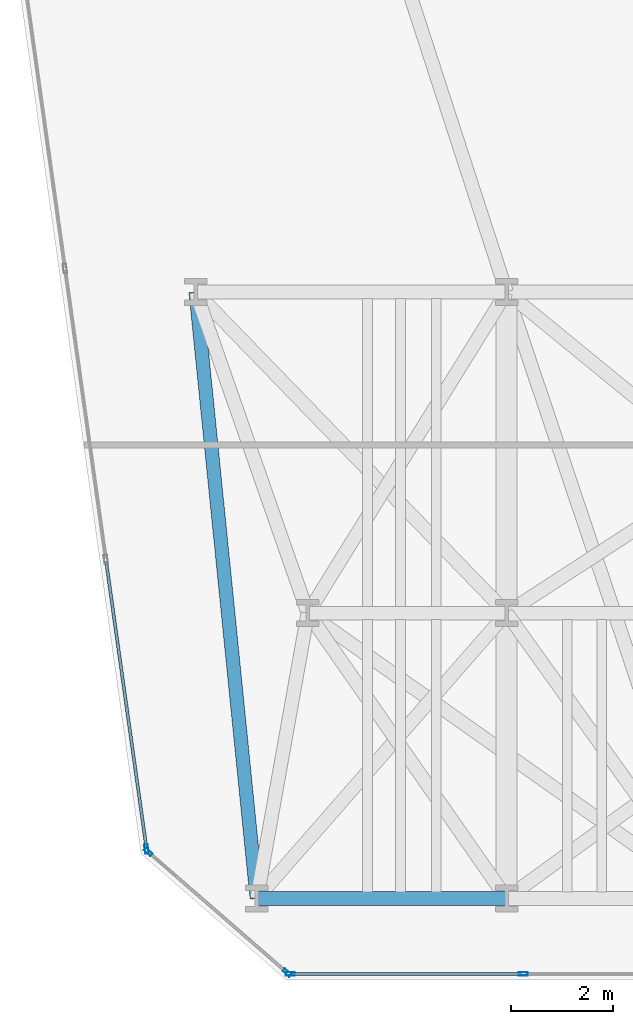
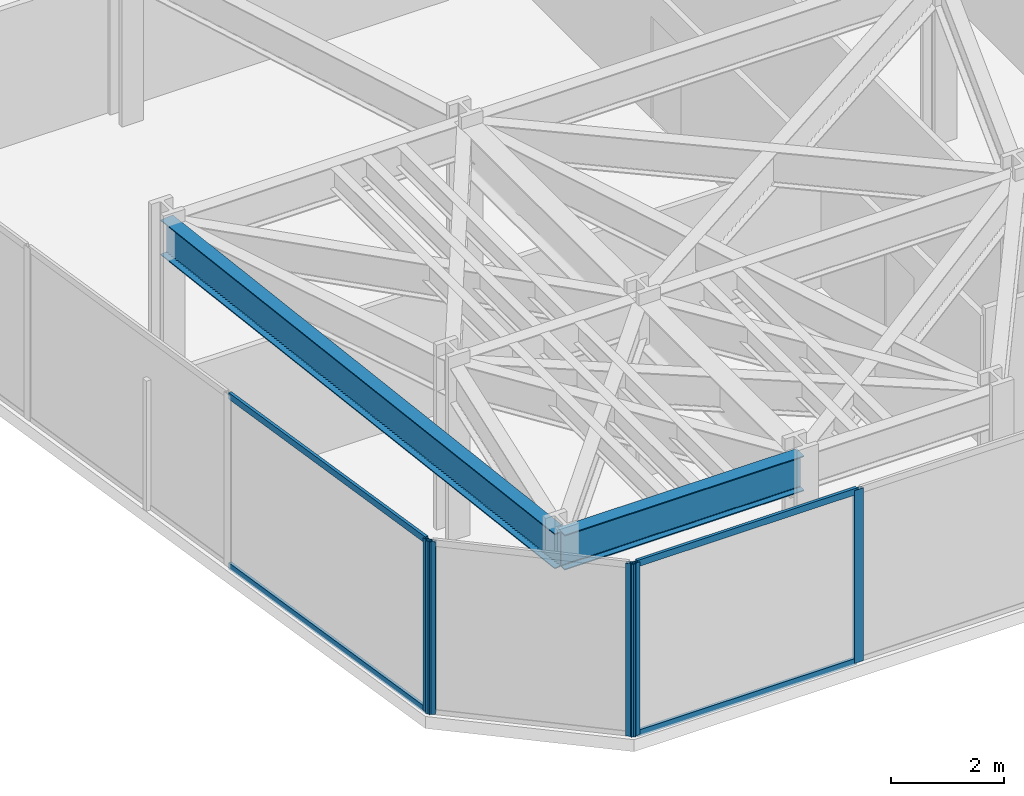
# One storey, part 2 of 25: 9 members, 2 beams, 3 elements without a shape of their own.
"""IFC4 building model written with IfcOpenShell, lengths in metres."""

from ifc_helpers import new_model, si_unit, direction, frame, origin, origin_2d, place, context, subcontext, project, spatial, hollow_rectangle, i_section, extrude, material, layer, layer_set, material_profile, profile_set, type_object, element, aggregate, save


model = new_model("IFC4")

# Units and contexts
model_context = context("Model", 3, precision=1e-05, world=origin(), true_north=direction((0.0, 1.0)))
body_context = subcontext(model_context, "Body", "Model", "MODEL_VIEW")
ifc_project = project(units=[si_unit("LENGTHUNIT", "METRE"), si_unit("AREAUNIT", "SQUARE_METRE"), si_unit("VOLUMEUNIT", "CUBIC_METRE"), si_unit("PLANEANGLEUNIT", "RADIAN"), si_unit("MASSUNIT", "GRAM", prefix="KILO")], contexts=[model_context])

# Site, building, storey
site_placement = place(None, origin())
site = spatial("IfcSite", under=ifc_project, at=site_placement, CompositionType="ELEMENT")
building_placement = place(site_placement, origin())
building = spatial("IfcBuilding", under=site, at=building_placement, Name="Kravanh Interchange Tower", CompositionType="ELEMENT")
storey_placement = place(building_placement, frame((0.0, 0.0, 49.5)))
storey = spatial("IfcBuildingStorey", under=building, at=storey_placement, Name="L11", CompositionType="ELEMENT", Elevation=49.5)

# Curtain wall, member
ifc_material_1 = material(Name="Anodised Bronze Aluminium", Category="aluminium")
ifc_layer = layer(ifc_material_1, 0.179931640625)
ifc_layer_set = layer_set([ifc_layer], Name="Unitised Curtain Wall System CW-Z1 Lower Office")
curtain_wall_type = type_object("IfcCurtainWallType", Name="Unitised Curtain Wall System CW-Z1 Lower Office", PredefinedType="NOTDEFINED", material=ifc_layer_set)
curtain_wall_1_placement = place(storey_placement, origin())
curtain_wall_1 = element("IfcCurtainWall", 1, at=curtain_wall_1_placement, inside=storey, type_object=curtain_wall_type, Name="L11 Unitised Curtain Wall CW-L11-01", PredefinedType="NOTDEFINED")
ifc_material_2 = material(Name="Anodised Bronze Aluminium", Category="aluminium")
ifc_material_profile_1 = material_profile(ifc_material_2, hollow_rectangle(XDim=0.070068359375, YDim=0.179931640625, WallThickness=0.00390625, at=origin_2d()), Name="ALU70X180X4")
ifc_profile_set_1 = profile_set([ifc_material_profile_1], Name="Anodised Bronze Aluminium")
member_type_1 = type_object("IfcMemberType", Name="Curtain Wall Mullion ALU70X180X4 Bronze", PredefinedType="MULLION", material=ifc_profile_set_1)
member_1_placement = place(storey_placement, frame((10.435546875, 3.571533203125, 0.0), z_axis=(0.0, 0.0, 1.0), x_axis=(-0.990267585682, -0.139176538065, 0.0)))
member_1 = element("IfcMember", 2, at=member_1_placement, type_object=member_type_1, Name="CW-Z1 mullion 1", PredefinedType="MULLION", context=body_context, shape_type="SweptSolid", body=[
    extrude(hollow_rectangle(XDim=0.070068359375, YDim=0.179931640625, WallThickness=0.00390625, at=origin_2d()), origin(), (0.0, 0.0, 1.0), 3.739990234375),
])

# Curtain wall, members
curtain_wall_2_placement = place(storey_placement, origin())
curtain_wall_2 = element("IfcCurtainWall", 3, at=curtain_wall_2_placement, inside=storey, type_object=curtain_wall_type, Name="L11 Unitised Curtain Wall CW-L11-06", PredefinedType="NOTDEFINED")
member_2_placement = place(storey_placement, frame((17.8271484375, 1.1201171875, 0.0), z_axis=(0.0, 0.0, 1.0), x_axis=(0.0, -1.0, 0.0)))
member_2 = element("IfcMember", 4, at=member_2_placement, type_object=member_type_1, Name="CW-Z1 mullion 2", PredefinedType="MULLION", context=body_context, shape_type="SweptSolid", body=[
    extrude(hollow_rectangle(XDim=0.070068359375, YDim=0.179931640625, WallThickness=0.00390625, at=origin_2d()), origin(), (0.0, 0.0, 1.0), 3.739990234375),
])
member_3_placement = place(storey_placement, frame((13.255615234375, 1.1201171875, 0.0), z_axis=(0.0, 0.0, 1.0), x_axis=(0.0, -1.0, 0.0)))
member_3 = element("IfcMember", 5, at=member_3_placement, type_object=member_type_1, Name="CW-Z1 mullion 3", PredefinedType="MULLION", context=body_context, shape_type="SweptSolid", body=[
    extrude(hollow_rectangle(XDim=0.070068359375, YDim=0.179931640625, WallThickness=0.00390625, at=origin_2d()), origin(), (0.0, 0.0, 1.0), 3.739990234375),
])

curtain_wall_3_placement = place(storey_placement, origin())
curtain_wall_3 = element("IfcCurtainWall", 6, at=curtain_wall_3_placement, inside=storey, type_object=curtain_wall_type, Name="L11 Unitised Curtain Wall CW-L11-07", PredefinedType="NOTDEFINED")
member_4_placement = place(storey_placement, frame((13.194091796875, 1.14306640625, 0.0), z_axis=(0.0, 0.0, 1.0), x_axis=(-0.656060422341, -0.754708368999, 0.0)))
member_4 = element("IfcMember", 7, at=member_4_placement, type_object=member_type_1, Name="CW-Z1 mullion 1", PredefinedType="MULLION", context=body_context, shape_type="SweptSolid", body=[
    extrude(hollow_rectangle(XDim=0.070068359375, YDim=0.179931640625, WallThickness=0.00390625, at=origin_2d()), origin(), (0.0, 0.0, 1.0), 3.739990234375),
])
member_5_placement = place(storey_placement, frame((10.466796875, 3.513916015625, 0.0), z_axis=(0.0, 0.0, 1.0), x_axis=(-0.656060422341, -0.754708368999, 0.0)))
member_5 = element("IfcMember", 8, at=member_5_placement, type_object=member_type_1, Name="CW-Z1 mullion 2", PredefinedType="MULLION", context=body_context, shape_type="SweptSolid", body=[
    extrude(hollow_rectangle(XDim=0.070068359375, YDim=0.179931640625, WallThickness=0.00390625, at=origin_2d()), origin(), (0.0, 0.0, 1.0), 3.739990234375),
])
aggregate(curtain_wall_3, [member_4, member_5])

# Member
ifc_material_3 = material(Name="Anodised Bronze Aluminium", Category="aluminium")
ifc_material_profile_2 = material_profile(ifc_material_3, hollow_rectangle(XDim=0.06005859375, YDim=0.139892578125, WallThickness=0.00390625, at=origin_2d()), Name="ALU60X140X4")
ifc_profile_set_2 = profile_set([ifc_material_profile_2], Name="Anodised Bronze Aluminium")
member_type_2 = type_object("IfcMemberType", Name="Curtain Wall Transom ALU60X140X4 Bronze", PredefinedType="USERDEFINED", material=ifc_profile_set_2)
member_6_placement = place(storey_placement, frame((10.4306640625, 3.606201171875, 0.030029296875), z_axis=(-0.139199330487, 0.990264382068, 0.0), x_axis=(-0.990264382068, -0.139199330487, 0.0)))
member_6 = element("IfcMember", 9, at=member_6_placement, type_object=member_type_2, Name="CW-Z1 transom 1.1", ObjectType="TRANSOM", PredefinedType="USERDEFINED", context=body_context, shape_type="SweptSolid", body=[
    extrude(hollow_rectangle(XDim=0.06005859375, YDim=0.139892578125, WallThickness=0.00390625, at=origin_2d()), origin(), (0.0, 0.0, 1.0), 5.66162109375),
])

member_7_placement = place(storey_placement, frame((10.4306640625, 3.606201171875, 3.7099609375), z_axis=(-0.139199330487, 0.990264382068, 0.0), x_axis=(-0.990264382068, -0.139199330487, 0.0)))
member_7 = element("IfcMember", 10, at=member_7_placement, type_object=member_type_2, Name="CW-Z1 transom 1.2", ObjectType="TRANSOM", PredefinedType="USERDEFINED", context=body_context, shape_type="SweptSolid", body=[
    extrude(hollow_rectangle(XDim=0.06005859375, YDim=0.139892578125, WallThickness=0.00390625, at=origin_2d()), origin(), (0.0, 0.0, 1.0), 5.66162109375),
])

aggregate(curtain_wall_1, [member_1, member_6, member_7])

member_8_placement = place(storey_placement, frame((17.792236328125, 1.1201171875, 0.030029296875), z_axis=(-1.0, 0.0, 0.0), x_axis=(0.0, -1.0, 0.0)))
member_8 = element("IfcMember", 11, at=member_8_placement, type_object=member_type_2, Name="CW-Z1 transom 2.1", ObjectType="TRANSOM", PredefinedType="USERDEFINED", context=body_context, shape_type="SweptSolid", body=[
    extrude(hollow_rectangle(XDim=0.06005859375, YDim=0.139892578125, WallThickness=0.00390625, at=origin_2d()), origin(), (0.0, 0.0, 1.0), 4.501708984375),
])

member_9_placement = place(storey_placement, frame((17.792236328125, 1.1201171875, 3.7099609375), z_axis=(-1.0, 0.0, 0.0), x_axis=(0.0, -1.0, 0.0)))
member_9 = element("IfcMember", 12, at=member_9_placement, type_object=member_type_2, Name="CW-Z1 transom 2.2", ObjectType="TRANSOM", PredefinedType="USERDEFINED", context=body_context, shape_type="SweptSolid", body=[
    extrude(hollow_rectangle(XDim=0.06005859375, YDim=0.139892578125, WallThickness=0.00390625, at=origin_2d()), origin(), (0.0, 0.0, 1.0), 4.501708984375),
])

aggregate(curtain_wall_2, [member_2, member_3, member_8, member_9])

# Beams
ifc_material_4 = material(Name="Structural Steel S355", Category="steel")
ifc_material_profile_3 = material_profile(ifc_material_4, i_section(OverallWidth=0.26708984375, OverallDepth=0.761962890625, WebThickness=0.014404296875, FlangeThickness=0.021484375, FilletRadius=0.02490234375, at=origin_2d()), Name="W30X116")
ifc_profile_set_3 = profile_set([ifc_material_profile_3], Name="Structural Steel S355")
beam_type = type_object("IfcBeamType", Name="Floor Spandrel W30X116 Structural Steel S355", PredefinedType="SPANDREL", material=ifc_profile_set_3)
beam_1_placement = place(storey_placement, frame((12.60009765625, 2.60009765625, 3.35888671875), z_axis=(1.0, 0.0, 0.0), x_axis=(0.0, 1.0, 0.0)))
element("IfcBeam", 13, at=beam_1_placement, inside=storey, type_object=beam_type, Name="L11 Perimeter Spandrel 38", PredefinedType="SPANDREL", context=body_context, shape_type="SweptSolid", body=[
    extrude(i_section(OverallWidth=0.26708984375, OverallDepth=0.761962890625, WebThickness=0.014404296875, FlangeThickness=0.021484375, FilletRadius=0.02490234375, at=origin_2d()), origin(), (0.0, 0.0, 1.0), 4.89990234375),
])
beam_2_placement = place(storey_placement, frame((12.60009765625, 2.60009765625, 3.35888671875), z_axis=(-0.100348483042, 0.994952351598, 0.0), x_axis=(-0.994952351598, -0.100348483042, 0.0)))
element("IfcBeam", 14, at=beam_2_placement, inside=storey, type_object=beam_type, Name="L11 Perimeter Spandrel 41", PredefinedType="SPANDREL", context=body_context, shape_type="SweptSolid", body=[
    extrude(i_section(OverallWidth=0.26708984375, OverallDepth=0.761962890625, WebThickness=0.014404296875, FlangeThickness=0.021484375, FilletRadius=0.02490234375, at=origin_2d()), origin(), (0.0, 0.0, 1.0), 11.960205078125),
])

save(model, "model.ifc")
